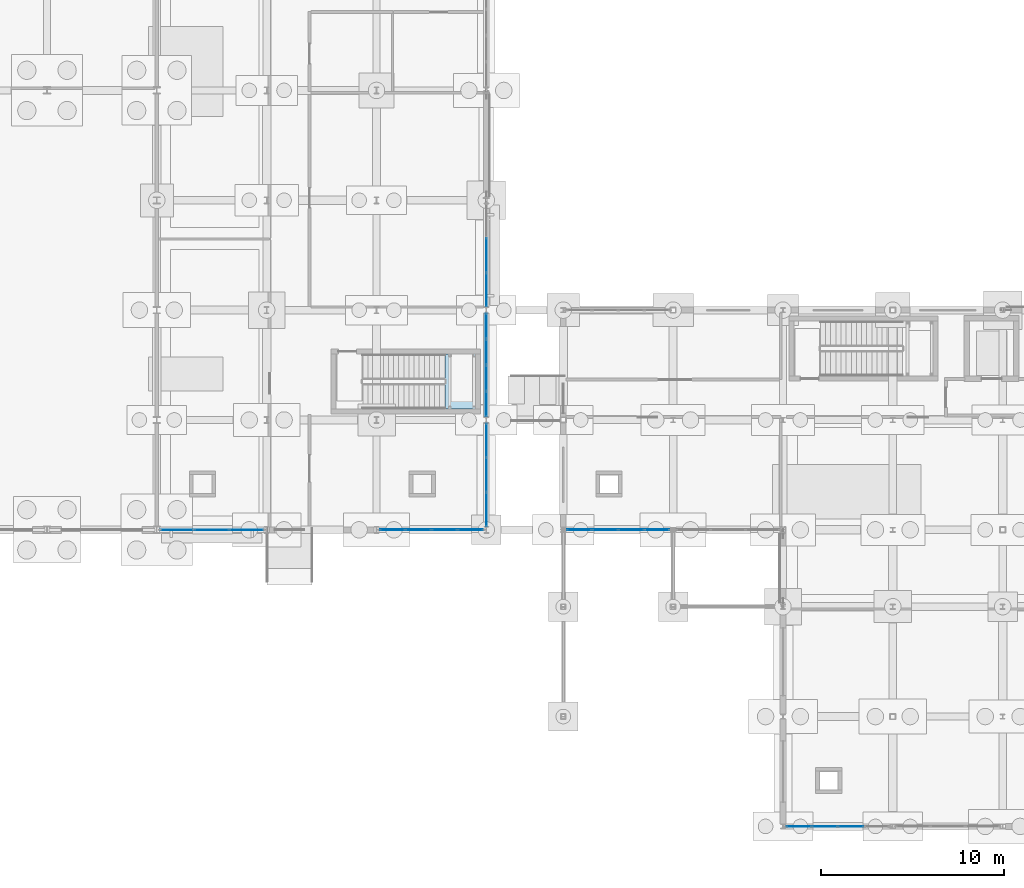
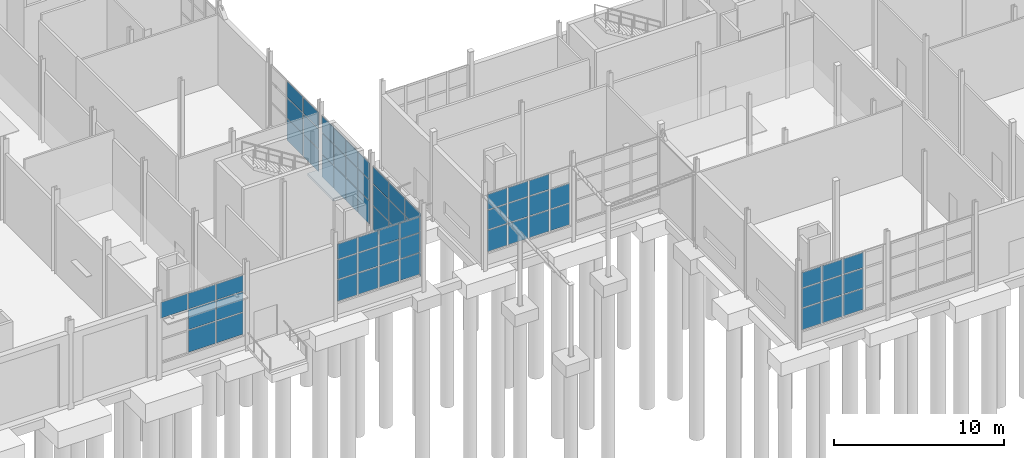
# One storey, part 69 of 120: 66 plates, 1 slab, 8 elements without a shape of their own.
"""IFC4 building model written with IfcOpenShell, lengths in metres."""

from ifc_helpers import new_model, si_unit, direction, frame, origin, origin_2d, place, context, subcontext, project, spatial, polyline, rectangle, outline, extrude, material, layer, layer_set, type_object, element, aggregate, save


model = new_model("IFC4")

# Units and contexts
model_context = context("Model", 3, precision=1e-05, world=origin(), true_north=direction((0.0, 1.0)))
body_context = subcontext(model_context, "Body", "Model", "MODEL_VIEW")
ifc_project = project(units=[si_unit("LENGTHUNIT", "METRE"), si_unit("AREAUNIT", "SQUARE_METRE"), si_unit("VOLUMEUNIT", "CUBIC_METRE"), si_unit("PLANEANGLEUNIT", "RADIAN"), si_unit("MASSUNIT", "GRAM", prefix="KILO")], contexts=[model_context])

# Site, building, storey
site_placement = place(None, origin())
site = spatial("IfcSite", under=ifc_project, at=site_placement, CompositionType="ELEMENT")
building_placement = place(site_placement, origin())
building = spatial("IfcBuilding", under=site, at=building_placement, Name="Siltcreek Boulevard Central Fire Station", CompositionType="ELEMENT")
storey_placement = place(building_placement, origin())
storey = spatial("IfcBuildingStorey", under=building, at=storey_placement, Name="L01", CompositionType="ELEMENT", Elevation=0.0)

# Curtain wall, plates
ifc_material_1 = material(Name="Anodized aluminum and low-E insulated glazing", Category="aluminium")
curtain_wall_type_1 = type_object("IfcCurtainWallType", Name="CW_SYS_16", PredefinedType="USERDEFINED", material=ifc_material_1)
curtain_wall_1_placement = place(storey_placement, origin())
curtain_wall_1 = element("IfcCurtainWall", 1, at=curtain_wall_1_placement, inside=storey, type_object=curtain_wall_type_1, Name="L01 V2 unitised curtain wall CW-015", ObjectType="CURTAIN WALL", PredefinedType="USERDEFINED")
ifc_material_2 = material(Name="Low-E double insulated glass unit", Category="glass")
ifc_layer_1 = layer(ifc_material_2, 0.028076171875, Name="Low-E double insulated glass unit")
ifc_layer_set_1 = layer_set([ifc_layer_1], Name="Low-E double insulated glass unit")
plate_type_1 = type_object("IfcPlateType", Name="CWP_GLZ_1", PredefinedType="CURTAIN_PANEL", material=ifc_layer_set_1)
plate_1_placement = place(storey_placement, frame((91.111572265625, 18.0, 3.845703125), z_axis=(0.0, 0.0, 1.0), x_axis=(1.0, 0.0, 0.0)))
plate_1 = element("IfcPlate", 2, at=plate_1_placement, type_object=plate_type_1, Name="CW-015 panel 1.3", PredefinedType="CURTAIN_PANEL", context=body_context, shape_type="SweptSolid", body=[
    extrude(rectangle(XDim=1.813232421875, YDim=0.028076171875, at=origin_2d()), origin(), (0.0, 0.0, 1.0), 1.12939453125),
])
plate_2_placement = place(storey_placement, frame((93.0, 18.0, 0.739990234375), z_axis=(0.0, 0.0, 1.0), x_axis=(1.0, 0.0, 0.0)))
plate_2 = element("IfcPlate", 3, at=plate_2_placement, type_object=plate_type_1, Name="CW-015 panel 2.1", PredefinedType="CURTAIN_PANEL", context=body_context, shape_type="SweptSolid", body=[
    extrude(rectangle(XDim=1.84326171875, YDim=0.028076171875, at=origin_2d()), origin(), (0.0, 0.0, 1.0), 1.56494140625),
])
plate_3_placement = place(storey_placement, frame((93.0, 18.0, 2.36474609375), z_axis=(0.0, 0.0, 1.0), x_axis=(1.0, 0.0, 0.0)))
plate_3 = element("IfcPlate", 4, at=plate_3_placement, type_object=plate_type_1, Name="CW-015 panel 2.2", PredefinedType="CURTAIN_PANEL", context=body_context, shape_type="SweptSolid", body=[
    extrude(rectangle(XDim=1.84326171875, YDim=0.028076171875, at=origin_2d()), origin(), (0.0, 0.0, 1.0), 1.420654296875),
])
plate_4_placement = place(storey_placement, frame((93.0, 18.0, 3.845703125), z_axis=(0.0, 0.0, 1.0), x_axis=(1.0, 0.0, 0.0)))
plate_4 = element("IfcPlate", 5, at=plate_4_placement, type_object=plate_type_1, Name="CW-015 panel 2.3", PredefinedType="CURTAIN_PANEL", context=body_context, shape_type="SweptSolid", body=[
    extrude(rectangle(XDim=1.84326171875, YDim=0.028076171875, at=origin_2d()), origin(), (0.0, 0.0, 1.0), 1.12939453125),
])
plate_5_placement = place(storey_placement, frame((94.888427734375, 18.0, 0.739990234375), z_axis=(0.0, 0.0, 1.0), x_axis=(1.0, 0.0, 0.0)))
plate_5 = element("IfcPlate", 6, at=plate_5_placement, type_object=plate_type_1, Name="CW-015 panel 3.1", PredefinedType="CURTAIN_PANEL", context=body_context, shape_type="SweptSolid", body=[
    extrude(rectangle(XDim=1.813232421875, YDim=0.028076171875, at=origin_2d()), origin(), (0.0, 0.0, 1.0), 1.56494140625),
])
plate_6_placement = place(storey_placement, frame((94.888427734375, 18.0, 2.36474609375), z_axis=(0.0, 0.0, 1.0), x_axis=(1.0, 0.0, 0.0)))
plate_6 = element("IfcPlate", 7, at=plate_6_placement, type_object=plate_type_1, Name="CW-015 panel 3.2", PredefinedType="CURTAIN_PANEL", context=body_context, shape_type="SweptSolid", body=[
    extrude(rectangle(XDim=1.813232421875, YDim=0.028076171875, at=origin_2d()), origin(), (0.0, 0.0, 1.0), 1.420654296875),
])
plate_7_placement = place(storey_placement, frame((94.888427734375, 18.0, 3.845703125), z_axis=(0.0, 0.0, 1.0), x_axis=(1.0, 0.0, 0.0)))
plate_7 = element("IfcPlate", 8, at=plate_7_placement, type_object=plate_type_1, Name="CW-015 panel 3.3", PredefinedType="CURTAIN_PANEL", context=body_context, shape_type="SweptSolid", body=[
    extrude(rectangle(XDim=1.813232421875, YDim=0.028076171875, at=origin_2d()), origin(), (0.0, 0.0, 1.0), 1.12939453125),
])
aggregate(curtain_wall_1, [plate_1, plate_2, plate_3, plate_4, plate_5, plate_6, plate_7])

curtain_wall_type_2 = type_object("IfcCurtainWallType", Name="CW_SYS_22", PredefinedType="USERDEFINED", material=ifc_material_1)
curtain_wall_2_placement = place(storey_placement, origin())
curtain_wall_2 = element("IfcCurtainWall", 9, at=curtain_wall_2_placement, inside=storey, type_object=curtain_wall_type_2, Name="L01 V2 unitised curtain wall CW-021", ObjectType="CURTAIN WALL", PredefinedType="USERDEFINED")
plate_8_placement = place(storey_placement, frame((108.0, 31.111572265625, 0.739990234375), z_axis=(0.0, 0.0, 1.0), x_axis=(0.0, 1.0, 0.0)))
plate_8 = element("IfcPlate", 10, at=plate_8_placement, type_object=plate_type_1, Name="CW-021 panel 1.1", PredefinedType="CURTAIN_PANEL", context=body_context, shape_type="SweptSolid", body=[
    extrude(rectangle(XDim=1.813232421875, YDim=0.028076171875, at=origin_2d()), origin(), (0.0, 0.0, 1.0), 1.568359375),
])
plate_9_placement = place(storey_placement, frame((108.0, 31.111572265625, 2.3681640625), z_axis=(0.0, 0.0, 1.0), x_axis=(0.0, 1.0, 0.0)))
plate_9 = element("IfcPlate", 11, at=plate_9_placement, type_object=plate_type_1, Name="CW-021 panel 1.2", PredefinedType="CURTAIN_PANEL", context=body_context, shape_type="SweptSolid", body=[
    extrude(rectangle(XDim=1.813232421875, YDim=0.028076171875, at=origin_2d()), origin(), (0.0, 0.0, 1.0), 1.423828125),
])
plate_10_placement = place(storey_placement, frame((108.0, 31.111572265625, 3.85205078125), z_axis=(0.0, 0.0, 1.0), x_axis=(0.0, 1.0, 0.0)))
plate_10 = element("IfcPlate", 12, at=plate_10_placement, type_object=plate_type_1, Name="CW-021 panel 1.3", PredefinedType="CURTAIN_PANEL", context=body_context, shape_type="SweptSolid", body=[
    extrude(rectangle(XDim=1.813232421875, YDim=0.028076171875, at=origin_2d()), origin(), (0.0, 0.0, 1.0), 1.1318359375),
])
plate_11_placement = place(storey_placement, frame((108.0, 33.0, 0.739990234375), z_axis=(0.0, 0.0, 1.0), x_axis=(0.0, 1.0, 0.0)))
plate_11 = element("IfcPlate", 13, at=plate_11_placement, type_object=plate_type_1, Name="CW-021 panel 2.1", PredefinedType="CURTAIN_PANEL", context=body_context, shape_type="SweptSolid", body=[
    extrude(rectangle(XDim=1.84326171875, YDim=0.028076171875, at=origin_2d()), origin(), (0.0, 0.0, 1.0), 1.568359375),
])
plate_12_placement = place(storey_placement, frame((108.0, 33.0, 2.3681640625), z_axis=(0.0, 0.0, 1.0), x_axis=(0.0, 1.0, 0.0)))
plate_12 = element("IfcPlate", 14, at=plate_12_placement, type_object=plate_type_1, Name="CW-021 panel 2.2", PredefinedType="CURTAIN_PANEL", context=body_context, shape_type="SweptSolid", body=[
    extrude(rectangle(XDim=1.84326171875, YDim=0.028076171875, at=origin_2d()), origin(), (0.0, 0.0, 1.0), 1.423828125),
])
plate_13_placement = place(storey_placement, frame((108.0, 33.0, 3.85205078125), z_axis=(0.0, 0.0, 1.0), x_axis=(0.0, 1.0, 0.0)))
plate_13 = element("IfcPlate", 15, at=plate_13_placement, type_object=plate_type_1, Name="CW-021 panel 2.3", PredefinedType="CURTAIN_PANEL", context=body_context, shape_type="SweptSolid", body=[
    extrude(rectangle(XDim=1.84326171875, YDim=0.028076171875, at=origin_2d()), origin(), (0.0, 0.0, 1.0), 1.1318359375),
])
aggregate(curtain_wall_2, [plate_8, plate_9, plate_10, plate_11, plate_12, plate_13])

curtain_wall_type_3 = type_object("IfcCurtainWallType", Name="CW_SYS_17", PredefinedType="USERDEFINED", material=ifc_material_1)
curtain_wall_3_placement = place(storey_placement, origin())
curtain_wall_3 = element("IfcCurtainWall", 16, at=curtain_wall_3_placement, inside=storey, type_object=curtain_wall_type_3, Name="L01 V2 unitised curtain wall CW-016", ObjectType="CURTAIN WALL", PredefinedType="USERDEFINED")
ifc_layer_2 = layer(ifc_material_2, 0.0380859375, Name="Low-E double insulated glass unit")
ifc_layer_set_2 = layer_set([ifc_layer_2], Name="Low-E double insulated glass unit")
plate_type_2 = type_object("IfcPlateType", Name="CWP_GLZ_2", PredefinedType="CURTAIN_PANEL", material=ifc_layer_set_2)
plate_14_placement = place(storey_placement, frame((102.875, 18.0, 0.864990234375), z_axis=(0.0, 0.0, 1.0), x_axis=(1.0, 0.0, 0.0)))
plate_14 = element("IfcPlate", 17, at=plate_14_placement, type_object=plate_type_2, Name="CW-016 panel 1.1", PredefinedType="CURTAIN_PANEL", context=body_context, shape_type="SweptSolid", body=[
    extrude(rectangle(XDim=1.330078125, YDim=0.0380859375, at=origin_2d()), origin(), (0.0, 0.0, 1.0), 1.51171875),
])
plate_15_placement = place(storey_placement, frame((102.875, 18.0, 2.441650390625), z_axis=(0.0, 0.0, 1.0), x_axis=(1.0, 0.0, 0.0)))
plate_15 = element("IfcPlate", 18, at=plate_15_placement, type_object=plate_type_2, Name="CW-016 panel 1.2", PredefinedType="CURTAIN_PANEL", context=body_context, shape_type="SweptSolid", body=[
    extrude(rectangle(XDim=1.330078125, YDim=0.0380859375, at=origin_2d()), origin(), (0.0, 0.0, 1.0), 1.375),
])
plate_16_placement = place(storey_placement, frame((102.875, 18.0, 3.881591796875), z_axis=(0.0, 0.0, 1.0), x_axis=(1.0, 0.0, 0.0)))
plate_16 = element("IfcPlate", 19, at=plate_16_placement, type_object=plate_type_2, Name="CW-016 panel 1.3", PredefinedType="CURTAIN_PANEL", context=body_context, shape_type="SweptSolid", body=[
    extrude(rectangle(XDim=1.330078125, YDim=0.0380859375, at=origin_2d()), origin(), (0.0, 0.0, 1.0), 1.08837890625),
])
plate_17_placement = place(storey_placement, frame((104.2861328125, 18.0, 0.864990234375), z_axis=(0.0, 0.0, 1.0), x_axis=(1.0, 0.0, 0.0)))
plate_17 = element("IfcPlate", 20, at=plate_17_placement, type_object=plate_type_2, Name="CW-016 panel 2.1", PredefinedType="CURTAIN_PANEL", context=body_context, shape_type="SweptSolid", body=[
    extrude(rectangle(XDim=1.362548828125, YDim=0.0380859375, at=origin_2d()), origin(), (0.0, 0.0, 1.0), 1.51171875),
])
plate_18_placement = place(storey_placement, frame((104.2861328125, 18.0, 2.441650390625), z_axis=(0.0, 0.0, 1.0), x_axis=(1.0, 0.0, 0.0)))
plate_18 = element("IfcPlate", 21, at=plate_18_placement, type_object=plate_type_2, Name="CW-016 panel 2.2", PredefinedType="CURTAIN_PANEL", context=body_context, shape_type="SweptSolid", body=[
    extrude(rectangle(XDim=1.362548828125, YDim=0.0380859375, at=origin_2d()), origin(), (0.0, 0.0, 1.0), 1.375),
])
plate_19_placement = place(storey_placement, frame((104.2861328125, 18.0, 3.881591796875), z_axis=(0.0, 0.0, 1.0), x_axis=(1.0, 0.0, 0.0)))
plate_19 = element("IfcPlate", 22, at=plate_19_placement, type_object=plate_type_2, Name="CW-016 panel 2.3", PredefinedType="CURTAIN_PANEL", context=body_context, shape_type="SweptSolid", body=[
    extrude(rectangle(XDim=1.362548828125, YDim=0.0380859375, at=origin_2d()), origin(), (0.0, 0.0, 1.0), 1.08837890625),
])
plate_20_placement = place(storey_placement, frame((105.7138671875, 18.0, 0.864990234375), z_axis=(0.0, 0.0, 1.0), x_axis=(1.0, 0.0, 0.0)))
plate_20 = element("IfcPlate", 23, at=plate_20_placement, type_object=plate_type_2, Name="CW-016 panel 3.1", PredefinedType="CURTAIN_PANEL", context=body_context, shape_type="SweptSolid", body=[
    extrude(rectangle(XDim=1.362548828125, YDim=0.0380859375, at=origin_2d()), origin(), (0.0, 0.0, 1.0), 1.51171875),
])
plate_21_placement = place(storey_placement, frame((105.7138671875, 18.0, 2.441650390625), z_axis=(0.0, 0.0, 1.0), x_axis=(1.0, 0.0, 0.0)))
plate_21 = element("IfcPlate", 24, at=plate_21_placement, type_object=plate_type_2, Name="CW-016 panel 3.2", PredefinedType="CURTAIN_PANEL", context=body_context, shape_type="SweptSolid", body=[
    extrude(rectangle(XDim=1.362548828125, YDim=0.0380859375, at=origin_2d()), origin(), (0.0, 0.0, 1.0), 1.375),
])
plate_22_placement = place(storey_placement, frame((105.7138671875, 18.0, 3.881591796875), z_axis=(0.0, 0.0, 1.0), x_axis=(1.0, 0.0, 0.0)))
plate_22 = element("IfcPlate", 25, at=plate_22_placement, type_object=plate_type_2, Name="CW-016 panel 3.3", PredefinedType="CURTAIN_PANEL", context=body_context, shape_type="SweptSolid", body=[
    extrude(rectangle(XDim=1.362548828125, YDim=0.0380859375, at=origin_2d()), origin(), (0.0, 0.0, 1.0), 1.08837890625),
])
plate_23_placement = place(storey_placement, frame((107.125, 18.0, 0.864990234375), z_axis=(0.0, 0.0, 1.0), x_axis=(1.0, 0.0, 0.0)))
plate_23 = element("IfcPlate", 26, at=plate_23_placement, type_object=plate_type_2, Name="CW-016 panel 4.1", PredefinedType="CURTAIN_PANEL", context=body_context, shape_type="SweptSolid", body=[
    extrude(rectangle(XDim=1.330078125, YDim=0.0380859375, at=origin_2d()), origin(), (0.0, 0.0, 1.0), 1.51171875),
])
plate_24_placement = place(storey_placement, frame((107.125, 18.0, 2.441650390625), z_axis=(0.0, 0.0, 1.0), x_axis=(1.0, 0.0, 0.0)))
plate_24 = element("IfcPlate", 27, at=plate_24_placement, type_object=plate_type_2, Name="CW-016 panel 4.2", PredefinedType="CURTAIN_PANEL", context=body_context, shape_type="SweptSolid", body=[
    extrude(rectangle(XDim=1.330078125, YDim=0.0380859375, at=origin_2d()), origin(), (0.0, 0.0, 1.0), 1.375),
])
plate_25_placement = place(storey_placement, frame((107.125, 18.0, 3.881591796875), z_axis=(0.0, 0.0, 1.0), x_axis=(1.0, 0.0, 0.0)))
plate_25 = element("IfcPlate", 28, at=plate_25_placement, type_object=plate_type_2, Name="CW-016 panel 4.3", PredefinedType="CURTAIN_PANEL", context=body_context, shape_type="SweptSolid", body=[
    extrude(rectangle(XDim=1.330078125, YDim=0.0380859375, at=origin_2d()), origin(), (0.0, 0.0, 1.0), 1.08837890625),
])
aggregate(curtain_wall_3, [plate_14, plate_15, plate_16, plate_17, plate_18, plate_19, plate_20, plate_21, plate_22, plate_23, plate_24, plate_25])

curtain_wall_type_4 = type_object("IfcCurtainWallType", Name="CW_SYS_20", PredefinedType="USERDEFINED", material=ifc_material_1)
curtain_wall_4_placement = place(storey_placement, origin())
curtain_wall_4 = element("IfcCurtainWall", 29, at=curtain_wall_4_placement, inside=storey, type_object=curtain_wall_type_4, Name="L01 V2 unitised curtain wall CW-019", ObjectType="CURTAIN WALL", PredefinedType="USERDEFINED")
plate_26_placement = place(storey_placement, frame((108.0, 19.111572265625, 0.5), z_axis=(0.0, 0.0, 1.0), x_axis=(0.0, 1.0, 0.0)))
plate_26 = element("IfcPlate", 30, at=plate_26_placement, type_object=plate_type_2, Name="CW-019 panel 1.1", PredefinedType="CURTAIN_PANEL", context=body_context, shape_type="SweptSolid", body=[
    extrude(rectangle(XDim=1.813232421875, YDim=0.0380859375, at=origin_2d()), origin(), (0.0, 0.0, 1.0), 1.659423828125),
])
plate_27_placement = place(storey_placement, frame((108.0, 19.111572265625, 2.219482421875), z_axis=(0.0, 0.0, 1.0), x_axis=(0.0, 1.0, 0.0)))
plate_27 = element("IfcPlate", 31, at=plate_27_placement, type_object=plate_type_2, Name="CW-019 panel 1.2", PredefinedType="CURTAIN_PANEL", context=body_context, shape_type="SweptSolid", body=[
    extrude(rectangle(XDim=1.813232421875, YDim=0.0380859375, at=origin_2d()), origin(), (0.0, 0.0, 1.0), 1.50537109375),
])
plate_28_placement = place(storey_placement, frame((108.0, 19.111572265625, 3.784912109375), z_axis=(0.0, 0.0, 1.0), x_axis=(0.0, 1.0, 0.0)))
plate_28 = element("IfcPlate", 32, at=plate_28_placement, type_object=plate_type_2, Name="CW-019 panel 1.3", PredefinedType="CURTAIN_PANEL", context=body_context, shape_type="SweptSolid", body=[
    extrude(rectangle(XDim=1.813232421875, YDim=0.0380859375, at=origin_2d()), origin(), (0.0, 0.0, 1.0), 1.19921875),
])
plate_29_placement = place(storey_placement, frame((108.0, 21.0, 0.5), z_axis=(0.0, 0.0, 1.0), x_axis=(0.0, 1.0, 0.0)))
plate_29 = element("IfcPlate", 33, at=plate_29_placement, type_object=plate_type_2, Name="CW-019 panel 2.1", PredefinedType="CURTAIN_PANEL", context=body_context, shape_type="SweptSolid", body=[
    extrude(rectangle(XDim=1.84326171875, YDim=0.0380859375, at=origin_2d()), origin(), (0.0, 0.0, 1.0), 1.659423828125),
])
plate_30_placement = place(storey_placement, frame((108.0, 21.0, 2.219482421875), z_axis=(0.0, 0.0, 1.0), x_axis=(0.0, 1.0, 0.0)))
plate_30 = element("IfcPlate", 34, at=plate_30_placement, type_object=plate_type_2, Name="CW-019 panel 2.2", PredefinedType="CURTAIN_PANEL", context=body_context, shape_type="SweptSolid", body=[
    extrude(rectangle(XDim=1.84326171875, YDim=0.0380859375, at=origin_2d()), origin(), (0.0, 0.0, 1.0), 1.50537109375),
])
plate_31_placement = place(storey_placement, frame((108.0, 21.0, 3.784912109375), z_axis=(0.0, 0.0, 1.0), x_axis=(0.0, 1.0, 0.0)))
plate_31 = element("IfcPlate", 35, at=plate_31_placement, type_object=plate_type_2, Name="CW-019 panel 2.3", PredefinedType="CURTAIN_PANEL", context=body_context, shape_type="SweptSolid", body=[
    extrude(rectangle(XDim=1.84326171875, YDim=0.0380859375, at=origin_2d()), origin(), (0.0, 0.0, 1.0), 1.19921875),
])
plate_32_placement = place(storey_placement, frame((108.0, 22.888427734375, 0.5), z_axis=(0.0, 0.0, 1.0), x_axis=(0.0, 1.0, 0.0)))
plate_32 = element("IfcPlate", 36, at=plate_32_placement, type_object=plate_type_2, Name="CW-019 panel 3.1", PredefinedType="CURTAIN_PANEL", context=body_context, shape_type="SweptSolid", body=[
    extrude(rectangle(XDim=1.813232421875, YDim=0.0380859375, at=origin_2d()), origin(), (0.0, 0.0, 1.0), 1.659423828125),
])
plate_33_placement = place(storey_placement, frame((108.0, 22.888427734375, 2.219482421875), z_axis=(0.0, 0.0, 1.0), x_axis=(0.0, 1.0, 0.0)))
plate_33 = element("IfcPlate", 37, at=plate_33_placement, type_object=plate_type_2, Name="CW-019 panel 3.2", PredefinedType="CURTAIN_PANEL", context=body_context, shape_type="SweptSolid", body=[
    extrude(rectangle(XDim=1.813232421875, YDim=0.0380859375, at=origin_2d()), origin(), (0.0, 0.0, 1.0), 1.50537109375),
])
plate_34_placement = place(storey_placement, frame((108.0, 22.888427734375, 3.784912109375), z_axis=(0.0, 0.0, 1.0), x_axis=(0.0, 1.0, 0.0)))
plate_34 = element("IfcPlate", 38, at=plate_34_placement, type_object=plate_type_2, Name="CW-019 panel 3.3", PredefinedType="CURTAIN_PANEL", context=body_context, shape_type="SweptSolid", body=[
    extrude(rectangle(XDim=1.813232421875, YDim=0.0380859375, at=origin_2d()), origin(), (0.0, 0.0, 1.0), 1.19921875),
])
aggregate(curtain_wall_4, [plate_26, plate_27, plate_28, plate_29, plate_30, plate_31, plate_32, plate_33, plate_34])

curtain_wall_type_5 = type_object("IfcCurtainWallType", Name="CW_SYS_05", PredefinedType="USERDEFINED", material=ifc_material_1)
curtain_wall_5_placement = place(storey_placement, origin())
curtain_wall_5 = element("IfcCurtainWall", 39, at=curtain_wall_5_placement, inside=storey, type_object=curtain_wall_type_5, Name="L01 V6 unitised curtain wall CW-184", ObjectType="CURTAIN WALL", PredefinedType="USERDEFINED")
plate_35_placement = place(storey_placement, frame((125.074951171875, 1.800048828125, 0.864990234375), z_axis=(0.0, 0.0, 1.0), x_axis=(1.0, 0.0, 0.0)))
plate_35 = element("IfcPlate", 40, at=plate_35_placement, type_object=plate_type_2, Name="CW-184 panel 1.1", PredefinedType="CURTAIN_PANEL", context=body_context, shape_type="SweptSolid", body=[
    extrude(rectangle(XDim=1.330078125, YDim=0.0380859375, at=origin_2d()), origin(), (0.0, 0.0, 1.0), 1.51171875),
])
plate_36_placement = place(storey_placement, frame((125.074951171875, 1.800048828125, 2.441650390625), z_axis=(0.0, 0.0, 1.0), x_axis=(1.0, 0.0, 0.0)))
plate_36 = element("IfcPlate", 41, at=plate_36_placement, type_object=plate_type_2, Name="CW-184 panel 1.2", PredefinedType="CURTAIN_PANEL", context=body_context, shape_type="SweptSolid", body=[
    extrude(rectangle(XDim=1.330078125, YDim=0.0380859375, at=origin_2d()), origin(), (0.0, 0.0, 1.0), 1.375),
])
plate_37_placement = place(storey_placement, frame((125.074951171875, 1.800048828125, 3.881591796875), z_axis=(0.0, 0.0, 1.0), x_axis=(1.0, 0.0, 0.0)))
plate_37 = element("IfcPlate", 42, at=plate_37_placement, type_object=plate_type_2, Name="CW-184 panel 1.3", PredefinedType="CURTAIN_PANEL", context=body_context, shape_type="SweptSolid", body=[
    extrude(rectangle(XDim=1.330078125, YDim=0.0380859375, at=origin_2d()), origin(), (0.0, 0.0, 1.0), 1.08837890625),
])
plate_38_placement = place(storey_placement, frame((126.486328125, 1.800048828125, 0.864990234375), z_axis=(0.0, 0.0, 1.0), x_axis=(1.0, 0.0, 0.0)))
plate_38 = element("IfcPlate", 43, at=plate_38_placement, type_object=plate_type_2, Name="CW-184 panel 2.1", PredefinedType="CURTAIN_PANEL", context=body_context, shape_type="SweptSolid", body=[
    extrude(rectangle(XDim=1.362548828125, YDim=0.0380859375, at=origin_2d()), origin(), (0.0, 0.0, 1.0), 1.51171875),
])
plate_39_placement = place(storey_placement, frame((126.486328125, 1.800048828125, 2.441650390625), z_axis=(0.0, 0.0, 1.0), x_axis=(1.0, 0.0, 0.0)))
plate_39 = element("IfcPlate", 44, at=plate_39_placement, type_object=plate_type_2, Name="CW-184 panel 2.2", PredefinedType="CURTAIN_PANEL", context=body_context, shape_type="SweptSolid", body=[
    extrude(rectangle(XDim=1.362548828125, YDim=0.0380859375, at=origin_2d()), origin(), (0.0, 0.0, 1.0), 1.375),
])
plate_40_placement = place(storey_placement, frame((126.486328125, 1.800048828125, 3.881591796875), z_axis=(0.0, 0.0, 1.0), x_axis=(1.0, 0.0, 0.0)))
plate_40 = element("IfcPlate", 45, at=plate_40_placement, type_object=plate_type_2, Name="CW-184 panel 2.3", PredefinedType="CURTAIN_PANEL", context=body_context, shape_type="SweptSolid", body=[
    extrude(rectangle(XDim=1.362548828125, YDim=0.0380859375, at=origin_2d()), origin(), (0.0, 0.0, 1.0), 1.08837890625),
])
plate_41_placement = place(storey_placement, frame((127.913818359375, 1.800048828125, 0.864990234375), z_axis=(0.0, 0.0, 1.0), x_axis=(1.0, 0.0, 0.0)))
plate_41 = element("IfcPlate", 46, at=plate_41_placement, type_object=plate_type_2, Name="CW-184 panel 3.1", PredefinedType="CURTAIN_PANEL", context=body_context, shape_type="SweptSolid", body=[
    extrude(rectangle(XDim=1.362548828125, YDim=0.0380859375, at=origin_2d()), origin(), (0.0, 0.0, 1.0), 1.51171875),
])
plate_42_placement = place(storey_placement, frame((127.913818359375, 1.800048828125, 2.441650390625), z_axis=(0.0, 0.0, 1.0), x_axis=(1.0, 0.0, 0.0)))
plate_42 = element("IfcPlate", 47, at=plate_42_placement, type_object=plate_type_2, Name="CW-184 panel 3.2", PredefinedType="CURTAIN_PANEL", context=body_context, shape_type="SweptSolid", body=[
    extrude(rectangle(XDim=1.362548828125, YDim=0.0380859375, at=origin_2d()), origin(), (0.0, 0.0, 1.0), 1.375),
])
plate_43_placement = place(storey_placement, frame((127.913818359375, 1.800048828125, 3.881591796875), z_axis=(0.0, 0.0, 1.0), x_axis=(1.0, 0.0, 0.0)))
plate_43 = element("IfcPlate", 48, at=plate_43_placement, type_object=plate_type_2, Name="CW-184 panel 3.3", PredefinedType="CURTAIN_PANEL", context=body_context, shape_type="SweptSolid", body=[
    extrude(rectangle(XDim=1.362548828125, YDim=0.0380859375, at=origin_2d()), origin(), (0.0, 0.0, 1.0), 1.08837890625),
])
aggregate(curtain_wall_5, [plate_35, plate_36, plate_37, plate_38, plate_39, plate_40, plate_41, plate_42, plate_43])

curtain_wall_type_6 = type_object("IfcCurtainWallType", Name="CW_SYS_11", PredefinedType="USERDEFINED", material=ifc_material_1)
curtain_wall_6_placement = place(storey_placement, origin())
curtain_wall_6 = element("IfcCurtainWall", 49, at=curtain_wall_6_placement, inside=storey, type_object=curtain_wall_type_6, Name="L01 V6 unitised curtain wall CW-190", ObjectType="CURTAIN WALL", PredefinedType="USERDEFINED")
plate_44_placement = place(storey_placement, frame((113.074951171875, 18.0, 0.864990234375), z_axis=(0.0, 0.0, 1.0), x_axis=(1.0, 0.0, 0.0)))
plate_44 = element("IfcPlate", 50, at=plate_44_placement, type_object=plate_type_2, Name="CW-190 panel 1.1", PredefinedType="CURTAIN_PANEL", context=body_context, shape_type="SweptSolid", body=[
    extrude(rectangle(XDim=1.330078125, YDim=0.0380859375, at=origin_2d()), origin(), (0.0, 0.0, 1.0), 1.51171875),
])
plate_45_placement = place(storey_placement, frame((113.074951171875, 18.0, 2.441650390625), z_axis=(0.0, 0.0, 1.0), x_axis=(1.0, 0.0, 0.0)))
plate_45 = element("IfcPlate", 51, at=plate_45_placement, type_object=plate_type_2, Name="CW-190 panel 1.2", PredefinedType="CURTAIN_PANEL", context=body_context, shape_type="SweptSolid", body=[
    extrude(rectangle(XDim=1.330078125, YDim=0.0380859375, at=origin_2d()), origin(), (0.0, 0.0, 1.0), 1.375),
])
plate_46_placement = place(storey_placement, frame((113.074951171875, 18.0, 3.881591796875), z_axis=(0.0, 0.0, 1.0), x_axis=(1.0, 0.0, 0.0)))
plate_46 = element("IfcPlate", 52, at=plate_46_placement, type_object=plate_type_2, Name="CW-190 panel 1.3", PredefinedType="CURTAIN_PANEL", context=body_context, shape_type="SweptSolid", body=[
    extrude(rectangle(XDim=1.330078125, YDim=0.0380859375, at=origin_2d()), origin(), (0.0, 0.0, 1.0), 1.08837890625),
])
plate_47_placement = place(storey_placement, frame((114.486328125, 18.0, 0.864990234375), z_axis=(0.0, 0.0, 1.0), x_axis=(1.0, 0.0, 0.0)))
plate_47 = element("IfcPlate", 53, at=plate_47_placement, type_object=plate_type_2, Name="CW-190 panel 2.1", PredefinedType="CURTAIN_PANEL", context=body_context, shape_type="SweptSolid", body=[
    extrude(rectangle(XDim=1.362548828125, YDim=0.0380859375, at=origin_2d()), origin(), (0.0, 0.0, 1.0), 1.51171875),
])
plate_48_placement = place(storey_placement, frame((114.486328125, 18.0, 2.441650390625), z_axis=(0.0, 0.0, 1.0), x_axis=(1.0, 0.0, 0.0)))
plate_48 = element("IfcPlate", 54, at=plate_48_placement, type_object=plate_type_2, Name="CW-190 panel 2.2", PredefinedType="CURTAIN_PANEL", context=body_context, shape_type="SweptSolid", body=[
    extrude(rectangle(XDim=1.362548828125, YDim=0.0380859375, at=origin_2d()), origin(), (0.0, 0.0, 1.0), 1.375),
])
plate_49_placement = place(storey_placement, frame((114.486328125, 18.0, 3.881591796875), z_axis=(0.0, 0.0, 1.0), x_axis=(1.0, 0.0, 0.0)))
plate_49 = element("IfcPlate", 55, at=plate_49_placement, type_object=plate_type_2, Name="CW-190 panel 2.3", PredefinedType="CURTAIN_PANEL", context=body_context, shape_type="SweptSolid", body=[
    extrude(rectangle(XDim=1.362548828125, YDim=0.0380859375, at=origin_2d()), origin(), (0.0, 0.0, 1.0), 1.08837890625),
])
plate_50_placement = place(storey_placement, frame((115.913818359375, 18.0, 0.864990234375), z_axis=(0.0, 0.0, 1.0), x_axis=(1.0, 0.0, 0.0)))
plate_50 = element("IfcPlate", 56, at=plate_50_placement, type_object=plate_type_2, Name="CW-190 panel 3.1", PredefinedType="CURTAIN_PANEL", context=body_context, shape_type="SweptSolid", body=[
    extrude(rectangle(XDim=1.362548828125, YDim=0.0380859375, at=origin_2d()), origin(), (0.0, 0.0, 1.0), 1.51171875),
])
plate_51_placement = place(storey_placement, frame((115.913818359375, 18.0, 2.441650390625), z_axis=(0.0, 0.0, 1.0), x_axis=(1.0, 0.0, 0.0)))
plate_51 = element("IfcPlate", 57, at=plate_51_placement, type_object=plate_type_2, Name="CW-190 panel 3.2", PredefinedType="CURTAIN_PANEL", context=body_context, shape_type="SweptSolid", body=[
    extrude(rectangle(XDim=1.362548828125, YDim=0.0380859375, at=origin_2d()), origin(), (0.0, 0.0, 1.0), 1.375),
])
plate_52_placement = place(storey_placement, frame((115.913818359375, 18.0, 3.881591796875), z_axis=(0.0, 0.0, 1.0), x_axis=(1.0, 0.0, 0.0)))
plate_52 = element("IfcPlate", 58, at=plate_52_placement, type_object=plate_type_2, Name="CW-190 panel 3.3", PredefinedType="CURTAIN_PANEL", context=body_context, shape_type="SweptSolid", body=[
    extrude(rectangle(XDim=1.362548828125, YDim=0.0380859375, at=origin_2d()), origin(), (0.0, 0.0, 1.0), 1.08837890625),
])
plate_53_placement = place(storey_placement, frame((117.324951171875, 18.0, 0.864990234375), z_axis=(0.0, 0.0, 1.0), x_axis=(1.0, 0.0, 0.0)))
plate_53 = element("IfcPlate", 59, at=plate_53_placement, type_object=plate_type_2, Name="CW-190 panel 4.1", PredefinedType="CURTAIN_PANEL", context=body_context, shape_type="SweptSolid", body=[
    extrude(rectangle(XDim=1.330078125, YDim=0.0380859375, at=origin_2d()), origin(), (0.0, 0.0, 1.0), 1.51171875),
])
plate_54_placement = place(storey_placement, frame((117.324951171875, 18.0, 2.441650390625), z_axis=(0.0, 0.0, 1.0), x_axis=(1.0, 0.0, 0.0)))
plate_54 = element("IfcPlate", 60, at=plate_54_placement, type_object=plate_type_2, Name="CW-190 panel 4.2", PredefinedType="CURTAIN_PANEL", context=body_context, shape_type="SweptSolid", body=[
    extrude(rectangle(XDim=1.330078125, YDim=0.0380859375, at=origin_2d()), origin(), (0.0, 0.0, 1.0), 1.375),
])
aggregate(curtain_wall_6, [plate_44, plate_45, plate_46, plate_47, plate_48, plate_49, plate_50, plate_51, plate_52, plate_53, plate_54])

curtain_wall_type_7 = type_object("IfcCurtainWallType", Name="CW_SYS_21", PredefinedType="USERDEFINED", material=ifc_material_1)
curtain_wall_7_placement = place(storey_placement, origin())
curtain_wall_7 = element("IfcCurtainWall", 61, at=curtain_wall_7_placement, inside=storey, type_object=curtain_wall_type_7, Name="L01 V2 unitised curtain wall CW-020", ObjectType="CURTAIN WALL", PredefinedType="USERDEFINED")
ifc_layer_3 = layer(ifc_material_2, 0.048095703125, Name="Low-E double insulated glass unit")
ifc_layer_set_3 = layer_set([ifc_layer_3], Name="Low-E double insulated glass unit")
plate_type_3 = type_object("IfcPlateType", Name="CWP_GLZ_3", PredefinedType="CURTAIN_PANEL", material=ifc_layer_set_3)
plate_55_placement = place(storey_placement, frame((108.0, 24.875, 0.625), z_axis=(0.0, 0.0, 1.0), x_axis=(0.0, 1.0, 0.0)))
plate_55 = element("IfcPlate", 62, at=plate_55_placement, type_object=plate_type_3, Name="CW-020 panel 1.1", PredefinedType="CURTAIN_PANEL", context=body_context, shape_type="SweptSolid", body=[
    extrude(rectangle(XDim=1.330078125, YDim=0.048095703125, at=origin_2d()), origin(), (0.0, 0.0, 1.0), 1.6064453125),
])
plate_56_placement = place(storey_placement, frame((108.0, 24.875, 2.29638671875), z_axis=(0.0, 0.0, 1.0), x_axis=(0.0, 1.0, 0.0)))
plate_56 = element("IfcPlate", 63, at=plate_56_placement, type_object=plate_type_3, Name="CW-020 panel 1.2", PredefinedType="CURTAIN_PANEL", context=body_context, shape_type="SweptSolid", body=[
    extrude(rectangle(XDim=1.330078125, YDim=0.048095703125, at=origin_2d()), origin(), (0.0, 0.0, 1.0), 1.459716796875),
])
plate_57_placement = place(storey_placement, frame((108.0, 24.875, 3.82080078125), z_axis=(0.0, 0.0, 1.0), x_axis=(0.0, 1.0, 0.0)))
plate_57 = element("IfcPlate", 64, at=plate_57_placement, type_object=plate_type_3, Name="CW-020 panel 1.3", PredefinedType="CURTAIN_PANEL", context=body_context, shape_type="SweptSolid", body=[
    extrude(rectangle(XDim=1.330078125, YDim=0.048095703125, at=origin_2d()), origin(), (0.0, 0.0, 1.0), 1.157958984375),
])
plate_58_placement = place(storey_placement, frame((108.0, 26.2861328125, 0.625), z_axis=(0.0, 0.0, 1.0), x_axis=(0.0, 1.0, 0.0)))
plate_58 = element("IfcPlate", 65, at=plate_58_placement, type_object=plate_type_3, Name="CW-020 panel 2.1", PredefinedType="CURTAIN_PANEL", context=body_context, shape_type="SweptSolid", body=[
    extrude(rectangle(XDim=1.362548828125, YDim=0.048095703125, at=origin_2d()), origin(), (0.0, 0.0, 1.0), 1.6064453125),
])
plate_59_placement = place(storey_placement, frame((108.0, 26.2861328125, 2.29638671875), z_axis=(0.0, 0.0, 1.0), x_axis=(0.0, 1.0, 0.0)))
plate_59 = element("IfcPlate", 66, at=plate_59_placement, type_object=plate_type_3, Name="CW-020 panel 2.2", PredefinedType="CURTAIN_PANEL", context=body_context, shape_type="SweptSolid", body=[
    extrude(rectangle(XDim=1.362548828125, YDim=0.048095703125, at=origin_2d()), origin(), (0.0, 0.0, 1.0), 1.459716796875),
])
plate_60_placement = place(storey_placement, frame((108.0, 26.2861328125, 3.82080078125), z_axis=(0.0, 0.0, 1.0), x_axis=(0.0, 1.0, 0.0)))
plate_60 = element("IfcPlate", 67, at=plate_60_placement, type_object=plate_type_3, Name="CW-020 panel 2.3", PredefinedType="CURTAIN_PANEL", context=body_context, shape_type="SweptSolid", body=[
    extrude(rectangle(XDim=1.362548828125, YDim=0.048095703125, at=origin_2d()), origin(), (0.0, 0.0, 1.0), 1.157958984375),
])
plate_61_placement = place(storey_placement, frame((108.0, 27.7138671875, 0.625), z_axis=(0.0, 0.0, 1.0), x_axis=(0.0, 1.0, 0.0)))
plate_61 = element("IfcPlate", 68, at=plate_61_placement, type_object=plate_type_3, Name="CW-020 panel 3.1", PredefinedType="CURTAIN_PANEL", context=body_context, shape_type="SweptSolid", body=[
    extrude(rectangle(XDim=1.362548828125, YDim=0.048095703125, at=origin_2d()), origin(), (0.0, 0.0, 1.0), 1.6064453125),
])
plate_62_placement = place(storey_placement, frame((108.0, 27.7138671875, 2.29638671875), z_axis=(0.0, 0.0, 1.0), x_axis=(0.0, 1.0, 0.0)))
plate_62 = element("IfcPlate", 69, at=plate_62_placement, type_object=plate_type_3, Name="CW-020 panel 3.2", PredefinedType="CURTAIN_PANEL", context=body_context, shape_type="SweptSolid", body=[
    extrude(rectangle(XDim=1.362548828125, YDim=0.048095703125, at=origin_2d()), origin(), (0.0, 0.0, 1.0), 1.459716796875),
])
plate_63_placement = place(storey_placement, frame((108.0, 27.7138671875, 3.82080078125), z_axis=(0.0, 0.0, 1.0), x_axis=(0.0, 1.0, 0.0)))
plate_63 = element("IfcPlate", 70, at=plate_63_placement, type_object=plate_type_3, Name="CW-020 panel 3.3", PredefinedType="CURTAIN_PANEL", context=body_context, shape_type="SweptSolid", body=[
    extrude(rectangle(XDim=1.362548828125, YDim=0.048095703125, at=origin_2d()), origin(), (0.0, 0.0, 1.0), 1.157958984375),
])
plate_64_placement = place(storey_placement, frame((108.0, 29.125, 0.625), z_axis=(0.0, 0.0, 1.0), x_axis=(0.0, 1.0, 0.0)))
plate_64 = element("IfcPlate", 71, at=plate_64_placement, type_object=plate_type_3, Name="CW-020 panel 4.1", PredefinedType="CURTAIN_PANEL", context=body_context, shape_type="SweptSolid", body=[
    extrude(rectangle(XDim=1.330078125, YDim=0.048095703125, at=origin_2d()), origin(), (0.0, 0.0, 1.0), 1.6064453125),
])
plate_65_placement = place(storey_placement, frame((108.0, 29.125, 2.29638671875), z_axis=(0.0, 0.0, 1.0), x_axis=(0.0, 1.0, 0.0)))
plate_65 = element("IfcPlate", 72, at=plate_65_placement, type_object=plate_type_3, Name="CW-020 panel 4.2", PredefinedType="CURTAIN_PANEL", context=body_context, shape_type="SweptSolid", body=[
    extrude(rectangle(XDim=1.330078125, YDim=0.048095703125, at=origin_2d()), origin(), (0.0, 0.0, 1.0), 1.459716796875),
])
plate_66_placement = place(storey_placement, frame((108.0, 29.125, 3.82080078125), z_axis=(0.0, 0.0, 1.0), x_axis=(0.0, 1.0, 0.0)))
plate_66 = element("IfcPlate", 73, at=plate_66_placement, type_object=plate_type_3, Name="CW-020 panel 4.3", PredefinedType="CURTAIN_PANEL", context=body_context, shape_type="SweptSolid", body=[
    extrude(rectangle(XDim=1.330078125, YDim=0.048095703125, at=origin_2d()), origin(), (0.0, 0.0, 1.0), 1.157958984375),
])
aggregate(curtain_wall_7, [plate_55, plate_56, plate_57, plate_58, plate_59, plate_60, plate_61, plate_62, plate_63, plate_64, plate_65, plate_66])

# Stair, slab
ifc_material_3 = material(Name="Precast concrete C40/50", Category="concrete")
stair_type = type_object("IfcStairType", Name="ST_DOG_H60", PredefinedType="HALF_TURN_STAIR", material=ifc_material_3)
stair_placement = place(storey_placement, origin())
stair = element("IfcStair", 74, at=stair_placement, inside=storey, type_object=stair_type, Name="L01 Enclosed exit stairway ST-V2B", PredefinedType="HALF_TURN_STAIR")
ifc_layer_4 = layer(ifc_material_3, 0.199951171875, Name="Precast concrete C40/50")
ifc_layer_set_4 = layer_set([ifc_layer_4], Name="Precast concrete C40/50")
slab_type = type_object("IfcSlabType", Name="SL_LAND200", PredefinedType="LANDING", material=ifc_layer_set_4)
slab_placement = place(storey_placement, frame((0.0, 0.0, 2.800048828125)))
slab = element("IfcSlab", 75, at=slab_placement, type_object=slab_type, Name="ST-V2B landing 1", PredefinedType="LANDING", context=body_context, shape_type="SweptSolid", body=[
    extrude(outline(polyline([(105.72998046875, 24.60009765625), (107.39990234375, 24.60009765625), (107.39990234375, 27.60009765625), (105.72998046875, 27.60009765625), (105.72998046875, 24.60009765625)])), origin(), (0.0, 0.0, 1.0), 0.199951171875),
])
aggregate(stair, [slab])

save(model, "model.ifc")
